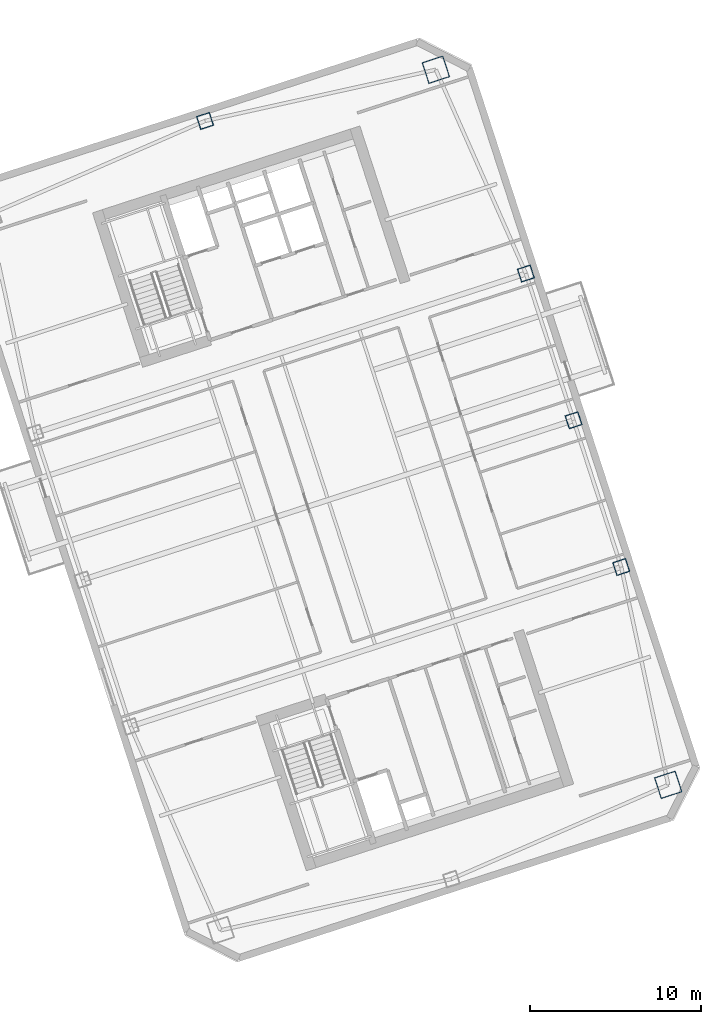
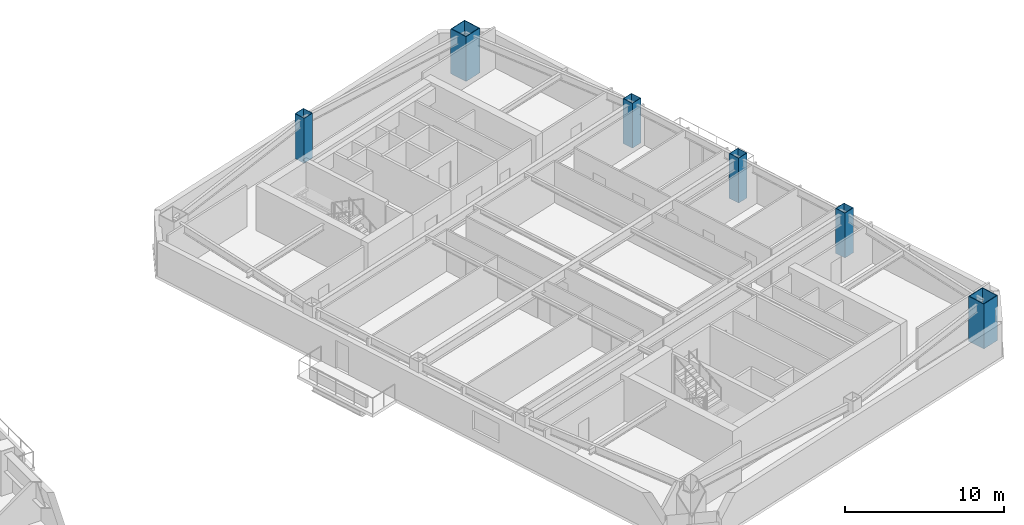
# One storey, part 2 of 17: 6 columns.
"""IFC4 building model written with IfcOpenShell, lengths in metres."""

from ifc_helpers import new_model, si_unit, direction, frame, origin, origin_2d, place, context, subcontext, project, spatial, hollow_rectangle, extrude, material, material_profile, profile_set, type_object, element, save


model = new_model("IFC4")

# Units and contexts
model_context = context("Model", 3, precision=1e-05, world=origin(), true_north=direction((0.0, 1.0)))
body_context = subcontext(model_context, "Body", "Model", "MODEL_VIEW")
ifc_project = project(units=[si_unit("LENGTHUNIT", "METRE"), si_unit("AREAUNIT", "SQUARE_METRE"), si_unit("VOLUMEUNIT", "CUBIC_METRE"), si_unit("PLANEANGLEUNIT", "RADIAN"), si_unit("MASSUNIT", "GRAM", prefix="KILO")], contexts=[model_context])

# Site, building, storey
site_placement = place(None, origin())
site = spatial("IfcSite", under=ifc_project, at=site_placement, CompositionType="ELEMENT")
building_placement = place(site_placement, origin())
building = spatial("IfcBuilding", under=site, at=building_placement, Name="Qiaolan Cultural Towers", CompositionType="ELEMENT")
storey_placement = place(building_placement, frame((0.0, 0.0, 156.39990234375)))
storey = spatial("IfcBuildingStorey", under=building, at=storey_placement, Name="L41", CompositionType="ELEMENT", Elevation=156.39990234375)

# Columns
ifc_material_1 = material(Name="Steel Q390GJB", Category="steel")
ifc_material_profile_1 = material_profile(ifc_material_1, hollow_rectangle(XDim=1.300048828125, YDim=1.300048828125, WallThickness=0.044921875, at=origin_2d()), Name="BOX1300x1300x45")
ifc_profile_set_1 = profile_set([ifc_material_profile_1], Name="Steel Q390GJB")
column_type_1 = type_object("IfcColumnType", Name="COL-BOX1300x1300x45", PredefinedType="COLUMN", material=ifc_profile_set_1)
for number, where, z_axis, x_axis, name in (
    (1, (109.834716796875, 17.38623046875, 0.0), (0.0, 0.0, 1.0), (0.951056516295, 0.309016994375, 0.0), "L41 T2 Perimeter Column MC-SE"),
    (2, (96.28125, 59.099365234375, 0.0), (0.0, 0.0, 1.0), (0.951056516295, 0.309016994375, 0.0), "L41 T2 Perimeter Column MC-NE"),
):
    element("IfcColumn", number, at=place(storey_placement, frame(where, z_axis=z_axis, x_axis=x_axis)), inside=storey, type_object=column_type_1, Name=name, PredefinedType="COLUMN", context=body_context, shape_type="SweptSolid", body=[
        extrude(hollow_rectangle(XDim=1.300048828125, YDim=1.300048828125, WallThickness=0.044921875, at=origin_2d()), origin(), (0.0, 0.0, 1.0), 3.451171875),
    ])
ifc_material_2 = material(Name="Steel Q355B", Category="steel")
ifc_material_profile_2 = material_profile(ifc_material_2, hollow_rectangle(XDim=0.800048828125, YDim=0.800048828125, WallThickness=0.028076171875, at=origin_2d()), Name="BOX800x800x28")
ifc_profile_set_2 = profile_set([ifc_material_profile_2], Name="Steel Q355B")
column_type_2 = type_object("IfcColumnType", Name="COL-BOX800x800x28", PredefinedType="COLUMN", material=ifc_profile_set_2)
for number, where, z_axis, x_axis, name in (
    (3, (107.094482421875, 30.09130859375, 0.0), (0.0, 0.0, 1.0), (0.951056516295, 0.309016994375, 0.0), "L41 T2 Perimeter Column PC-E1"),
    (4, (104.3134765625, 38.650634765625, 0.0), (0.0, 0.0, 1.0), (0.951056516295, 0.309016994375, 0.0), "L41 T2 Perimeter Column PC-E2"),
    (5, (101.5322265625, 47.210205078125, 0.0), (0.0, 0.0, 1.0), (0.951056516295, 0.309016994375, 0.0), "L41 T2 Perimeter Column PC-E3"),
    (6, (82.8154296875, 56.112060546875, 0.0), (0.0, 0.0, 1.0), (0.951056516295, 0.309016994375, 0.0), "L41 T2 Perimeter Column PC-N0"),
):
    element("IfcColumn", number, at=place(storey_placement, frame(where, z_axis=z_axis, x_axis=x_axis)), inside=storey, type_object=column_type_2, Name=name, PredefinedType="COLUMN", context=body_context, shape_type="SweptSolid", body=[
        extrude(hollow_rectangle(XDim=0.800048828125, YDim=0.800048828125, WallThickness=0.028076171875, at=origin_2d()), origin(), (0.0, 0.0, 1.0), 3.451171875),
    ])

save(model, "model.ifc")
